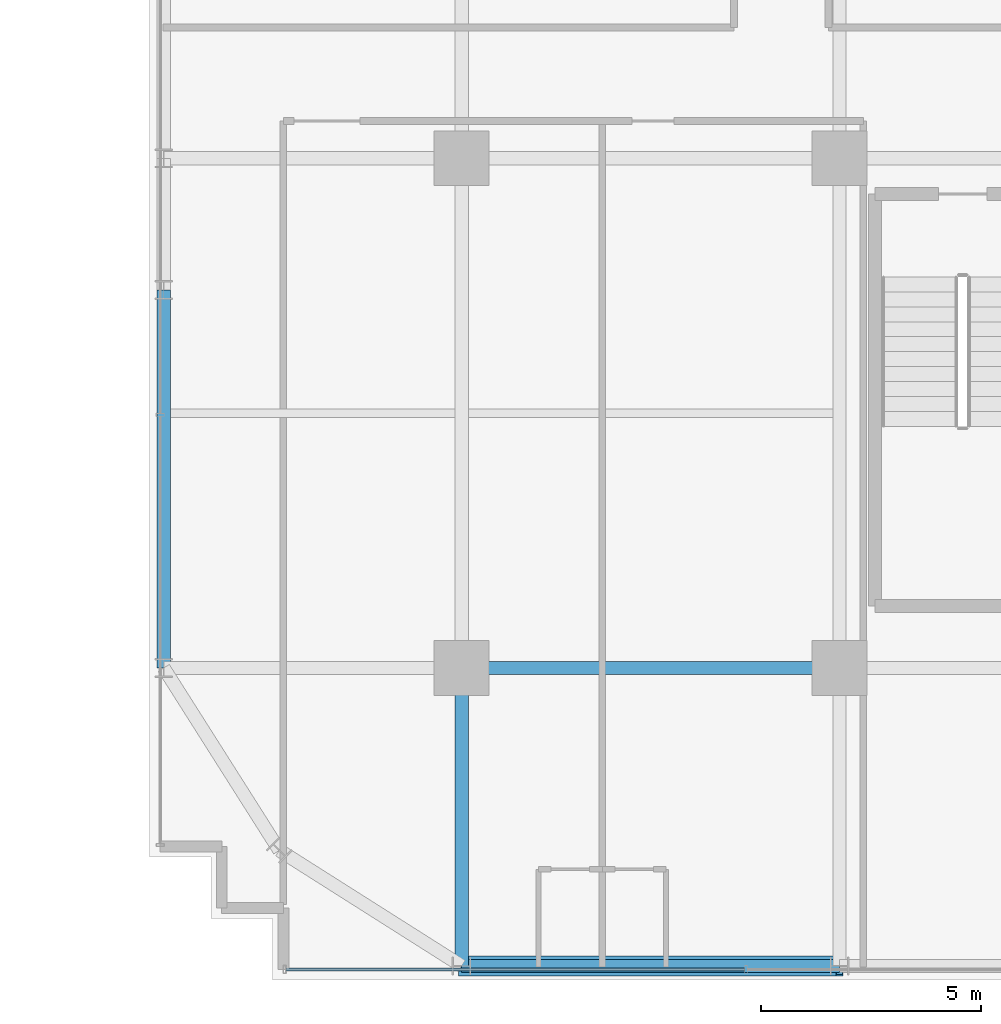
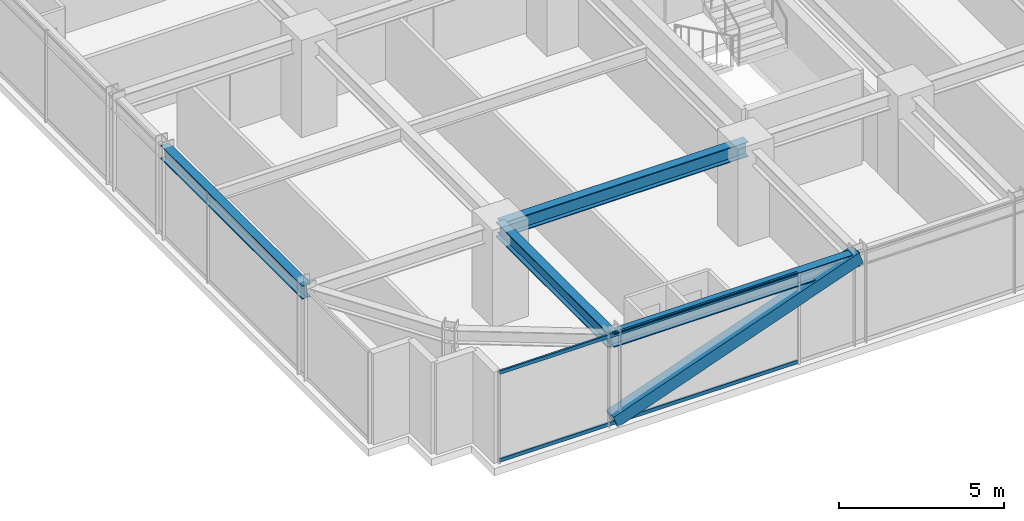
# One storey, part 3 of 35: 4 beams, 3 members, 1 element without a shape of its own.
"""IFC4 building model written with IfcOpenShell, lengths in metres."""

from ifc_helpers import new_model, si_unit, direction, frame, origin, origin_2d, place, context, subcontext, project, spatial, hollow_rectangle, i_section, extrude, source, transform, mapped, material, material_profile, profile_set, type_object, element, aggregate, save


model = new_model("IFC4")

# Units and contexts
model_context = context("Model", 3, precision=1e-05, world=origin(), true_north=direction((0.0, 1.0)))
body_context = subcontext(model_context, "Body", "Model", "MODEL_VIEW")
ifc_project = project(units=[si_unit("LENGTHUNIT", "METRE"), si_unit("AREAUNIT", "SQUARE_METRE"), si_unit("VOLUMEUNIT", "CUBIC_METRE"), si_unit("PLANEANGLEUNIT", "RADIAN"), si_unit("MASSUNIT", "GRAM", prefix="KILO")], contexts=[model_context])

# Site, building, storey
site_placement = place(None, origin())
site = spatial("IfcSite", under=ifc_project, at=site_placement, CompositionType="ELEMENT")
building_placement = place(site_placement, origin())
building = spatial("IfcBuilding", under=site, at=building_placement, Name="Nahalor Promenade Grand Hotel", CompositionType="ELEMENT")
storey_placement = place(building_placement, frame((0.0, 0.0, 106.550048828125)))
storey = spatial("IfcBuildingStorey", under=building, at=storey_placement, Name="L26", CompositionType="ELEMENT", Elevation=106.550048828125)

# Beams
ifc_material_1 = material(Name="Steel S355JR", Category="steel")
ifc_material_profile_1 = material_profile(ifc_material_1, i_section(OverallWidth=0.3, OverallDepth=0.5, WebThickness=0.0145, FlangeThickness=0.028, at=origin_2d()), Name="HEB 500")
ifc_profile_set_1 = profile_set([ifc_material_profile_1], Name="Steel S355JR")
beam_type_1 = type_object("IfcBeamType", Name="Beam-Spandrel-HEB500", PredefinedType="SPANDREL", material=ifc_profile_set_1)
shared_shape_1 = source(origin(), body_context, "Body", "SweptSolid", [
    extrude(i_section(OverallWidth=0.3, OverallDepth=0.5, WebThickness=0.0145, FlangeThickness=0.028, at=origin_2d()), origin(), (0.0, 0.0, 1.0), 8.60009765625),
])
for number, where, z_axis, x_axis, name in (
    (1, (-17.0, -23.780029296875, 3.1298828125), (1.0, 0.0, 0.0), (0.0, 1.0, 0.0), "BM-L26-SP-S-0"),
    (2, (-23.780029296875, -17.0, 3.1298828125), (0.0, 1.0, 0.0), (-1.0, 0.0, 0.0), "BM-L26-SP-W-0"),
):
    element("IfcBeam", number, at=place(storey_placement, frame(where, z_axis=z_axis, x_axis=x_axis)), inside=storey, type_object=beam_type_1, Name=name, PredefinedType="SPANDREL", context=body_context, shape_type="MappedRepresentation", body=[
        mapped(shared_shape_1, transform((0.0, 0.0, 0.0), scale=1.0)),
    ])
ifc_material_profile_2 = material_profile(ifc_material_1, i_section(OverallWidth=0.3, OverallDepth=0.55, WebThickness=0.015, FlangeThickness=0.029, at=origin_2d()), Name="HEB 550")
ifc_profile_set_2 = profile_set([ifc_material_profile_2], Name="Steel S355JR")
beam_type_2 = type_object("IfcBeamType", Name="Beam-Girder-HEB550", PredefinedType="BEAM", material=ifc_profile_set_2)
shared_shape_2 = source(origin(), body_context, "Body", "SweptSolid", [
    extrude(i_section(OverallWidth=0.3, OverallDepth=0.55, WebThickness=0.015, FlangeThickness=0.029, at=origin_2d()), origin(), (0.0, 0.0, 1.0), 6.780029296875),
])
beam_1_placement = place(storey_placement, frame((-17.0, -23.780029296875, 3.10498046875), z_axis=(0.0, 1.0, 0.0), x_axis=(-1.0, 0.0, 0.0)))
element("IfcBeam", 3, at=beam_1_placement, inside=storey, type_object=beam_type_2, Name="BM-L26-GY-0-0", PredefinedType="BEAM", context=body_context, shape_type="MappedRepresentation", body=[
    mapped(shared_shape_2, transform((0.0, 0.0, 0.0), scale=1.0)),
])
shared_shape_3 = source(origin(), body_context, "Body", "SweptSolid", [
    extrude(i_section(OverallWidth=0.3, OverallDepth=0.55, WebThickness=0.015, FlangeThickness=0.029, at=origin_2d()), origin(), (0.0, 0.0, 1.0), 8.60009765625),
])
beam_2_placement = place(storey_placement, frame((-17.0, -17.0, 3.10498046875), z_axis=(1.0, 0.0, 0.0), x_axis=(0.0, 1.0, 0.0)))
element("IfcBeam", 4, at=beam_2_placement, inside=storey, type_object=beam_type_2, Name="BM-L26-GX-0-1", PredefinedType="BEAM", context=body_context, shape_type="MappedRepresentation", body=[
    mapped(shared_shape_3, transform((0.0, 0.0, 0.0), scale=1.0)),
])

# Member
ifc_material_2 = material(Name="Steel S355J2", Category="steel")
ifc_material_profile_3 = material_profile(ifc_material_2, hollow_rectangle(XDim=0.45, YDim=0.45, WallThickness=0.025, at=origin_2d()), Name="SHS 450x450x25")
ifc_profile_set_3 = profile_set([ifc_material_profile_3], Name="Steel S355J2")
member_type_1 = type_object("IfcMemberType", Name="Mem-ExoBrace-SHS450", PredefinedType="BRACE", material=ifc_profile_set_3)
shared_shape_4 = source(origin(), body_context, "Body", "SweptSolid", [
    extrude(hollow_rectangle(XDim=0.45, YDim=0.45, WallThickness=0.025, at=origin_2d()), origin(), (0.0, 0.0, 1.0), 9.135009765625),
])
member_1_placement = place(storey_placement, frame((-17.0, -23.780029296875, 0.14990234375), z_axis=(0.941442840152, 0.0, 0.337172624521), x_axis=(0.0, 1.0, 0.0)))
element("IfcMember", 5, at=member_1_placement, inside=storey, type_object=member_type_1, Name="EXO-L26-S-0", PredefinedType="BRACE", context=body_context, shape_type="MappedRepresentation", body=[
    mapped(shared_shape_4, transform((0.0, 0.0, 0.0), scale=1.0)),
])

# Curtain wall, members
ifc_material_3 = material(Name="Anodised Bronze Aluminium EN AW-6063 T6", Category="aluminium")
curtain_wall_type = type_object("IfcCurtainWallType", Name="CW2 Typical Hotel Flush Bronze Unitised Curtain Wall", PredefinedType="USERDEFINED", material=ifc_material_3)
curtain_wall_placement = place(storey_placement, origin())
curtain_wall = element("IfcCurtainWall", 6, at=curtain_wall_placement, inside=storey, type_object=curtain_wall_type, Name="L26 Curtain Wall CW-L26-S-1", ObjectType="UNITISED_CURTAIN_WALL", PredefinedType="USERDEFINED")
ifc_material_profile_4 = material_profile(ifc_material_3, hollow_rectangle(XDim=0.065, YDim=0.13, WallThickness=0.004, at=origin_2d()), Name="CWT 65x130x4")
ifc_profile_set_4 = profile_set([ifc_material_profile_4], Name="Anodised Bronze Aluminium EN AW-6063 T6")
member_type_2 = type_object("IfcMemberType", Name="CWT2 Typical Bronze Transom 65x130", PredefinedType="USERDEFINED", material=ifc_profile_set_4)
shared_shape_5 = source(origin(), body_context, "Body", "SweptSolid", [
    extrude(hollow_rectangle(XDim=0.065, YDim=0.13, WallThickness=0.004, at=origin_2d()), origin(), (0.0, 0.0, 1.0), 10.4326171875),
])
member_2_placement = place(storey_placement, frame((-20.9951171875, -23.860107421875, 0.06494140625), z_axis=(1.0, 0.0, 0.0), x_axis=(0.0, 1.0, 0.0)))
member_2 = element("IfcMember", 7, at=member_2_placement, type_object=member_type_2, Name="CW-L26-S-1 Transom 0-0", ObjectType="TRANSOM", PredefinedType="USERDEFINED", context=body_context, shape_type="MappedRepresentation", body=[
    mapped(shared_shape_5, transform((0.0, 0.0, 0.0), scale=1.0)),
])
member_3_placement = place(storey_placement, frame((-20.9951171875, -23.860107421875, 3.31494140625), z_axis=(1.0, 0.0, 0.0), x_axis=(0.0, 1.0, 0.0)))
member_3 = element("IfcMember", 8, at=member_3_placement, type_object=member_type_2, Name="CW-L26-S-1 Transom 0-1", ObjectType="TRANSOM", PredefinedType="USERDEFINED", context=body_context, shape_type="MappedRepresentation", body=[
    mapped(shared_shape_5, transform((0.0, 0.0, 0.0), scale=1.0)),
])
aggregate(curtain_wall, [member_2, member_3])

save(model, "model.ifc")
